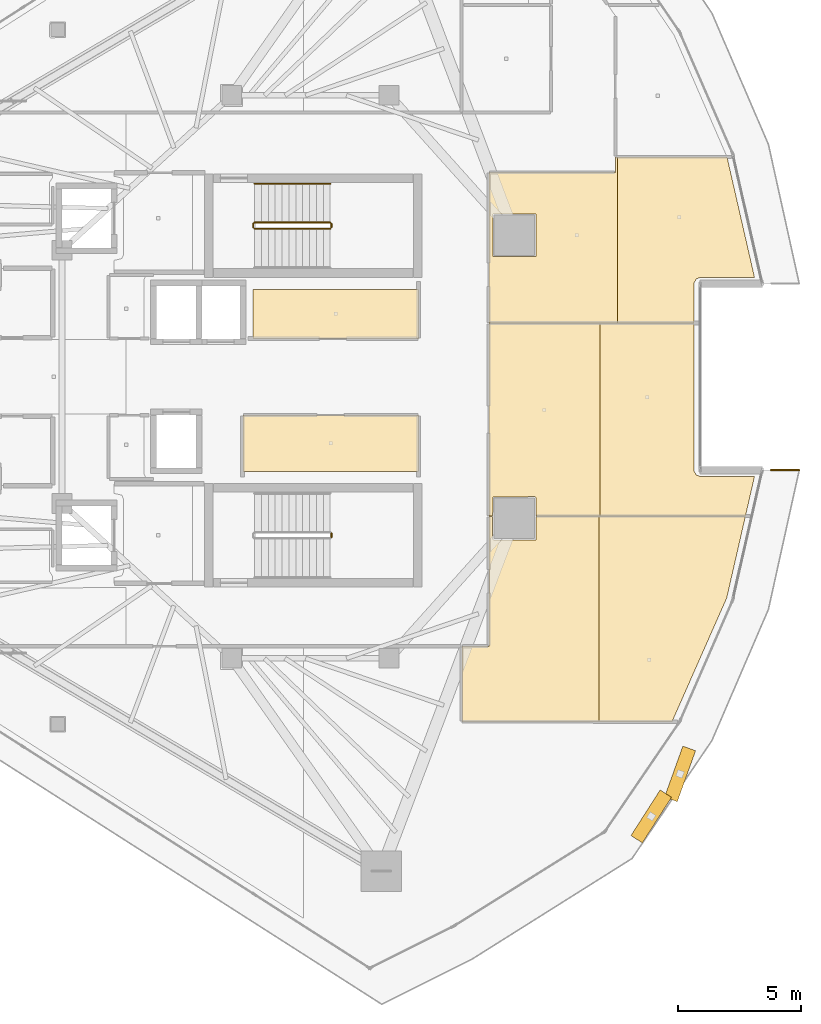
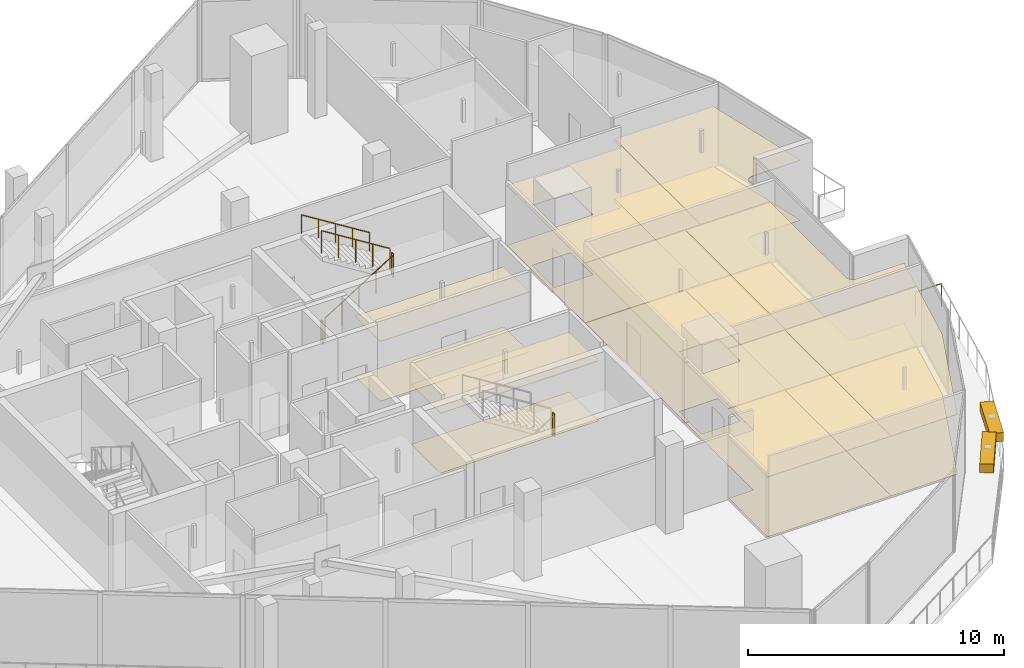
# One storey, part 33 of 34: 16 coverings, 7 railings, 2 shading devices.
"""IFC4 building model written with IfcOpenShell, lengths in metres."""

from ifc_helpers import new_model, si_unit, direction, frame, origin, origin_2d, place, context, subcontext, project, spatial, polyline, rectangle, circle, outline, extrude, material, layer, layer_set, type_object, element, save


model = new_model("IFC4")

# Units and contexts
model_context = context("Model", 3, precision=1e-05, world=origin(), true_north=direction((0.0, 1.0)))
body_context = subcontext(model_context, "Body", "Model", "MODEL_VIEW")
ifc_project = project(units=[si_unit("LENGTHUNIT", "METRE"), si_unit("AREAUNIT", "SQUARE_METRE"), si_unit("VOLUMEUNIT", "CUBIC_METRE"), si_unit("PLANEANGLEUNIT", "RADIAN"), si_unit("MASSUNIT", "GRAM", prefix="KILO")], contexts=[model_context])

# Site, building, storey
site_placement = place(None, origin())
site = spatial("IfcSite", under=ifc_project, at=site_placement, CompositionType="ELEMENT")
building_placement = place(site_placement, origin())
building = spatial("IfcBuilding", under=site, at=building_placement, Name="Qorvath Tower", CompositionType="ELEMENT")
storey_placement = place(building_placement, frame((0.0, 0.0, 276.60009765625)))
storey = spatial("IfcBuildingStorey", under=building, at=storey_placement, Name="L64", CompositionType="ELEMENT", Elevation=276.60009765625)

# Coverings
ifc_material_1 = material(Name="Acoustic mineral fibre ceiling tile", Category="gypsum")
ifc_layer_1 = layer(ifc_material_1, 0.030029296875)
ifc_layer_set_1 = layer_set([ifc_layer_1], Name="COV-CEIL")
covering_type_1 = type_object("IfcCoveringType", Name="COV-CEIL", PredefinedType="CEILING", material=ifc_layer_set_1)
covering_1_placement = place(storey_placement, frame((0.0, 0.0, 2.849853515625)))
element("IfcCovering", 1, at=covering_1_placement, inside=storey, type_object=covering_type_1, Name="L64 Suspended Acoustic Ceiling 003", PredefinedType="CEILING", context=body_context, shape_type="SweptSolid", body=[
    extrude(outline(polyline([(-16.0048828125, 3.56005859375), (-22.739990234375, 3.56005859375), (-22.739990234375, 1.56494140625), (-16.0048828125, 1.56494140625), (-16.0048828125, 3.56005859375)])), origin(), (0.0, 0.0, 1.0), 0.030029296875),
])
covering_2_placement = place(storey_placement, frame((0.0, 0.0, 2.849853515625)))
element("IfcCovering", 2, at=covering_2_placement, inside=storey, type_object=covering_type_1, Name="L64 Suspended Acoustic Ceiling 004", PredefinedType="CEILING", context=body_context, shape_type="SweptSolid", body=[
    extrude(outline(polyline([(-23.14501953125, -3.85009765625), (-16.0048828125, -3.85009765625), (-16.0048828125, -1.56494140625), (-23.14501953125, -1.56494140625), (-23.14501953125, -3.85009765625)])), origin(), (0.0, 0.0, 1.0), 0.030029296875),
])
covering_3_placement = place(storey_placement, frame((0.0, 0.0, 2.849853515625)))
element("IfcCovering", 3, at=covering_3_placement, inside=storey, type_object=covering_type_1, Name="L64 Suspended Acoustic Ceiling 017", PredefinedType="CEILING", context=body_context, shape_type="SweptSolid", body=[
    extrude(outline(polyline([(-14.237060546875, -14.008544921875), (-8.657958984375, -14.01318359375), (-8.657958984375, -5.671875), (-11.2119140625, -5.671875), (-11.2294921875, -6.625244140625), (-12.921875, -6.642822265625), (-12.981689453125, -6.5830078125), (-12.981689453125, -5.671875), (-13.136962890625, -5.671875), (-13.136962890625, -10.9580078125), (-14.237060546875, -10.962890625), (-14.237060546875, -14.008544921875)])), origin(), (0.0, 0.0, 1.0), 0.030029296875),
])
covering_4_placement = place(storey_placement, frame((0.0, 0.0, 2.849853515625)))
element("IfcCovering", 4, at=covering_4_placement, inside=storey, type_object=covering_type_1, Name="L64 Suspended Acoustic Ceiling 018", PredefinedType="CEILING", context=body_context, shape_type="SweptSolid", body=[
    extrude(outline(polyline([(-8.657958984375, -5.671875), (-8.657958984375, -14.01318359375), (-5.68115234375, -14.015869140625), (-3.459716796875, -8.987548828125), (-2.70263671875, -5.671875), (-8.657958984375, -5.671875)])), origin(), (0.0, 0.0, 1.0), 0.030029296875),
])
covering_5_placement = place(storey_placement, frame((0.0, 0.0, 2.849853515625)))
element("IfcCovering", 5, at=covering_5_placement, inside=storey, type_object=covering_type_1, Name="L64 Suspended Acoustic Ceiling 019", PredefinedType="CEILING", context=body_context, shape_type="SweptSolid", body=[
    extrude(outline(polyline([(-8.613037109375, -5.65380859375), (-8.613037109375, 2.17919921875), (-13.136962890625, 2.17919921875), (-13.136962890625, -5.65380859375), (-12.981689453125, -5.65380859375), (-12.964111328125, -4.890380859375), (-11.271728515625, -4.872802734375), (-11.2119140625, -4.932861328125), (-11.2119140625, -5.65380859375), (-8.613037109375, -5.65380859375)])), origin(), (0.0, 0.0, 1.0), 0.030029296875),
])
covering_6_placement = place(storey_placement, frame((0.0, 0.0, 2.849853515625)))
element("IfcCovering", 6, at=covering_6_placement, inside=storey, type_object=covering_type_1, Name="L64 Suspended Acoustic Ceiling 020", PredefinedType="CEILING", context=body_context, shape_type="SweptSolid", body=[
    extrude(outline(polyline([(-4.70166015625, -3.986572265625), (-4.788818359375, -3.839599609375), (-4.793701171875, 2.17919921875), (-8.613037109375, 2.17919921875), (-8.613037109375, -5.65380859375), (-2.698486328125, -5.65380859375), (-2.331298828125, -4.0458984375), (-4.563232421875, -4.044677734375), (-4.70166015625, -3.986572265625)])), origin(), (0.0, 0.0, 1.0), 0.030029296875),
])
covering_7_placement = place(storey_placement, frame((0.0, 0.0, 2.849853515625)))
element("IfcCovering", 7, at=covering_7_placement, inside=storey, type_object=covering_type_1, Name="L64 Suspended Acoustic Ceiling 021", PredefinedType="CEILING", context=body_context, shape_type="SweptSolid", body=[
    extrude(outline(polyline([(-7.90869140625, 2.197265625), (-7.90869140625, 8.93798828125), (-7.987060546875, 8.93798828125), (-7.991943359375, 8.306884765625), (-13.136962890625, 8.306884765625), (-13.136962890625, 2.197265625), (-7.90869140625, 2.197265625)]), holes=[polyline([(-12.964111328125, 4.890380859375), (-12.964111328125, 6.625244140625), (-11.2294921875, 6.625244140625), (-11.2294921875, 4.890380859375), (-12.964111328125, 4.890380859375)])]), origin(), (0.0, 0.0, 1.0), 0.030029296875),
])
covering_8_placement = place(storey_placement, frame((0.0, 0.0, 2.849853515625)))
element("IfcCovering", 8, at=covering_8_placement, inside=storey, type_object=covering_type_1, Name="L64 Suspended Acoustic Ceiling 022", PredefinedType="CEILING", context=body_context, shape_type="SweptSolid", body=[
    extrude(outline(polyline([(-4.698974609375, 3.98876953125), (-4.538818359375, 4.0458984375), (-2.331298828125, 4.0458984375), (-3.448486328125, 8.93798828125), (-7.90869140625, 8.93798828125), (-7.90869140625, 2.197265625), (-4.793701171875, 2.197265625), (-4.79248046875, 3.8154296875), (-4.698974609375, 3.98876953125)])), origin(), (0.0, 0.0, 1.0), 0.030029296875),
])
ifc_material_2 = material(Name="Low-VOC modular carpet tile", Category="textile")
ifc_layer_2 = layer(ifc_material_2, 0.014892578125)
ifc_layer_set_2 = layer_set([ifc_layer_2], Name="COV-FLOOR-CPT")
covering_type_2 = type_object("IfcCoveringType", Name="COV-FLOOR-CPT", PredefinedType="FLOORING", material=ifc_layer_set_2)
covering_9_placement = place(storey_placement, origin())
element("IfcCovering", 9, at=covering_9_placement, inside=storey, type_object=covering_type_2, Name="L64 Floor Finish 003", PredefinedType="FLOORING", context=body_context, shape_type="SweptSolid", body=[
    extrude(outline(polyline([(-16.0048828125, 3.56005859375), (-22.739990234375, 3.56005859375), (-22.739990234375, 1.56494140625), (-16.0048828125, 1.56494140625), (-16.0048828125, 3.56005859375)])), origin(), (0.0, 0.0, 1.0), 0.014892578125),
])
covering_10_placement = place(storey_placement, origin())
element("IfcCovering", 10, at=covering_10_placement, inside=storey, type_object=covering_type_2, Name="L64 Floor Finish 004", PredefinedType="FLOORING", context=body_context, shape_type="SweptSolid", body=[
    extrude(outline(polyline([(-23.14501953125, -3.85009765625), (-16.0048828125, -3.85009765625), (-16.0048828125, -1.56494140625), (-23.14501953125, -1.56494140625), (-23.14501953125, -3.85009765625)])), origin(), (0.0, 0.0, 1.0), 0.014892578125),
])
covering_11_placement = place(storey_placement, origin())
element("IfcCovering", 11, at=covering_11_placement, inside=storey, type_object=covering_type_2, Name="L64 Floor Finish 017", PredefinedType="FLOORING", context=body_context, shape_type="SweptSolid", body=[
    extrude(outline(polyline([(-14.237060546875, -14.008544921875), (-8.657958984375, -14.01318359375), (-8.657958984375, -5.671875), (-11.2119140625, -5.671875), (-11.2294921875, -6.625244140625), (-12.921875, -6.642822265625), (-12.981689453125, -6.5830078125), (-12.981689453125, -5.671875), (-13.136962890625, -5.671875), (-13.136962890625, -10.9580078125), (-14.237060546875, -10.962890625), (-14.237060546875, -14.008544921875)])), origin(), (0.0, 0.0, 1.0), 0.014892578125),
])
covering_12_placement = place(storey_placement, origin())
element("IfcCovering", 12, at=covering_12_placement, inside=storey, type_object=covering_type_2, Name="L64 Floor Finish 018", PredefinedType="FLOORING", context=body_context, shape_type="SweptSolid", body=[
    extrude(outline(polyline([(-8.657958984375, -5.671875), (-8.657958984375, -14.01318359375), (-5.68115234375, -14.015869140625), (-3.459716796875, -8.987548828125), (-2.70263671875, -5.671875), (-8.657958984375, -5.671875)])), origin(), (0.0, 0.0, 1.0), 0.014892578125),
])
covering_13_placement = place(storey_placement, origin())
element("IfcCovering", 13, at=covering_13_placement, inside=storey, type_object=covering_type_2, Name="L64 Floor Finish 019", PredefinedType="FLOORING", context=body_context, shape_type="SweptSolid", body=[
    extrude(outline(polyline([(-8.613037109375, -5.65380859375), (-8.613037109375, 2.17919921875), (-13.136962890625, 2.17919921875), (-13.136962890625, -5.65380859375), (-12.981689453125, -5.65380859375), (-12.964111328125, -4.890380859375), (-11.271728515625, -4.872802734375), (-11.2119140625, -4.932861328125), (-11.2119140625, -5.65380859375), (-8.613037109375, -5.65380859375)])), origin(), (0.0, 0.0, 1.0), 0.014892578125),
])
covering_14_placement = place(storey_placement, origin())
element("IfcCovering", 14, at=covering_14_placement, inside=storey, type_object=covering_type_2, Name="L64 Floor Finish 020", PredefinedType="FLOORING", context=body_context, shape_type="SweptSolid", body=[
    extrude(outline(polyline([(-4.70166015625, -3.986572265625), (-4.788818359375, -3.839599609375), (-4.793701171875, 2.17919921875), (-8.613037109375, 2.17919921875), (-8.613037109375, -5.65380859375), (-2.698486328125, -5.65380859375), (-2.331298828125, -4.0458984375), (-4.563232421875, -4.044677734375), (-4.70166015625, -3.986572265625)])), origin(), (0.0, 0.0, 1.0), 0.014892578125),
])
covering_15_placement = place(storey_placement, origin())
element("IfcCovering", 15, at=covering_15_placement, inside=storey, type_object=covering_type_2, Name="L64 Floor Finish 021", PredefinedType="FLOORING", context=body_context, shape_type="SweptSolid", body=[
    extrude(outline(polyline([(-7.90869140625, 2.197265625), (-7.90869140625, 8.93798828125), (-7.987060546875, 8.93798828125), (-7.991943359375, 8.306884765625), (-13.136962890625, 8.306884765625), (-13.136962890625, 2.197265625), (-7.90869140625, 2.197265625)]), holes=[polyline([(-12.964111328125, 4.890380859375), (-12.964111328125, 6.625244140625), (-11.2294921875, 6.625244140625), (-11.2294921875, 4.890380859375), (-12.964111328125, 4.890380859375)])]), origin(), (0.0, 0.0, 1.0), 0.014892578125),
])
covering_16_placement = place(storey_placement, origin())
element("IfcCovering", 16, at=covering_16_placement, inside=storey, type_object=covering_type_2, Name="L64 Floor Finish 022", PredefinedType="FLOORING", context=body_context, shape_type="SweptSolid", body=[
    extrude(outline(polyline([(-4.698974609375, 3.98876953125), (-4.538818359375, 4.0458984375), (-2.331298828125, 4.0458984375), (-3.448486328125, 8.93798828125), (-7.90869140625, 8.93798828125), (-7.90869140625, 2.197265625), (-4.793701171875, 2.197265625), (-4.79248046875, 3.8154296875), (-4.698974609375, 3.98876953125)])), origin(), (0.0, 0.0, 1.0), 0.014892578125),
])

# Railings
ifc_material_3 = material(Name="Laminated safety glass and stainless steel AISI 316", Category="steel")
railing_type_1 = type_object("IfcRailingType", Name="RL-EXT-GRD", PredefinedType="GUARDRAIL", material=ifc_material_3)
railing_1_placement = place(storey_placement, frame((-1.661865234375, -3.790771484375, 0.0)))
element("IfcRailing", 17, at=railing_1_placement, inside=storey, type_object=railing_type_1, Name="Loggia Perimeter Guardrail L64-1.2", PredefinedType="GUARDRAIL", context=body_context, shape_type="SweptSolid", body=[
    extrude(circle(Radius=0.02392578125, at=origin_2d()), frame((0.0, 0.0, 1.09619140625), z_axis=(1.0, 0.0, 0.0), x_axis=(0.0, 1.0, 0.0)), (0.0, 0.0, 1.0), 1.158935546875),
    extrude(circle(Radius=0.02099609375, at=origin_2d()), origin(), (0.0, 0.0, 1.0), 1.072021484375),
    extrude(circle(Radius=0.02099609375, at=origin_2d()), frame((1.158935546875, 0.0, 0.0)), (0.0, 0.0, 1.0), 1.072021484375),
])
ifc_material_4 = material(Name="Painted galvanised steel", Category="steel")
railing_type_2 = type_object("IfcRailingType", Name="RL-STR-GRD", PredefinedType="GUARDRAIL", material=ifc_material_4)
railing_2_placement = place(storey_placement, frame((-22.669921875, 6.030029296875, 0.1748046875)))
element("IfcRailing", 18, at=railing_2_placement, inside=storey, type_object=railing_type_2, Name="L64 TS1 stair guard 1", PredefinedType="GUARDRAIL", context=body_context, shape_type="SweptSolid", body=[
    extrude(circle(Radius=0.02392578125, at=origin_2d()), frame((0.0, 0.0, 1.076171875), z_axis=(0.847979421464, 0.0, 0.530029150871), x_axis=(0.0, 1.0, 0.0)), (0.0, 0.0, 1.0), 3.632080078125),
    extrude(circle(Radius=0.02099609375, at=origin_2d()), origin(), (0.0, 0.0, 1.0), 1.052001953125),
    extrude(circle(Radius=0.02099609375, at=origin_2d()), frame((0.77001953125, 0.0, 0.481201171875)), (0.0, 0.0, 1.0), 1.052001953125),
    extrude(circle(Radius=0.02099609375, at=origin_2d()), frame((1.5400390625, 0.0, 0.96240234375)), (0.0, 0.0, 1.0), 1.052001953125),
    extrude(circle(Radius=0.02099609375, at=origin_2d()), frame((2.309814453125, 0.0, 1.44384765625)), (0.0, 0.0, 1.0), 1.052001953125),
    extrude(circle(Radius=0.02099609375, at=origin_2d()), frame((3.079833984375, 0.0, 1.925048828125)), (0.0, 0.0, 1.0), 1.052001953125),
])
railing_3_placement = place(storey_placement, frame((-19.5400390625, 6.080078125, 2.099853515625)))
element("IfcRailing", 19, at=railing_3_placement, inside=storey, type_object=railing_type_2, Name="L64 TS1 stair guard 2", PredefinedType="GUARDRAIL", context=body_context, shape_type="SweptSolid", body=[
    extrude(circle(Radius=0.02392578125, at=origin_2d()), frame((0.0, 0.0, 1.076171875), z_axis=(0.0, 1.0, 0.0), x_axis=(-1.0, 0.0, 0.0)), (0.0, 0.0, 1.0), 0.14990234375),
    extrude(circle(Radius=0.02099609375, at=origin_2d()), origin(), (0.0, 0.0, 1.0), 1.052001953125),
    extrude(circle(Radius=0.02099609375, at=origin_2d()), frame((0.0, 0.14990234375, 0.0)), (0.0, 0.0, 1.0), 1.052001953125),
])
railing_4_placement = place(storey_placement, frame((-19.590087890625, 6.280029296875, 2.27490234375)))
element("IfcRailing", 20, at=railing_4_placement, inside=storey, type_object=railing_type_2, Name="L64 TS1 stair guard 3", PredefinedType="GUARDRAIL", context=body_context, shape_type="SweptSolid", body=[
    extrude(circle(Radius=0.02392578125, at=origin_2d()), frame((0.0, 0.0, 1.076171875), z_axis=(-0.847979421464, 0.0, 0.530029150871), x_axis=(0.0, -1.0, 0.0)), (0.0, 0.0, 1.0), 3.632080078125),
    extrude(circle(Radius=0.02099609375, at=origin_2d()), origin(), (0.0, 0.0, 1.0), 1.052001953125),
    extrude(circle(Radius=0.02099609375, at=origin_2d()), frame((-0.77001953125, 0.0, 0.481201171875)), (0.0, 0.0, 1.0), 1.052001953125),
    extrude(circle(Radius=0.02099609375, at=origin_2d()), frame((-1.5400390625, 0.0, 0.96240234375)), (0.0, 0.0, 1.0), 1.052001953125),
    extrude(circle(Radius=0.02099609375, at=origin_2d()), frame((-2.309814453125, 0.0, 1.44384765625)), (0.0, 0.0, 1.0), 1.052001953125),
    extrude(circle(Radius=0.02099609375, at=origin_2d()), frame((-3.079833984375, 0.0, 1.925048828125)), (0.0, 0.0, 1.0), 1.052001953125),
])
for number, where, name in (
    (21, (-22.719970703125, 6.080078125, 0.0), "L64 TS1 stair guard 4"),
    (22, (-19.5400390625, -6.52001953125, 2.099853515625), "L64 TS2 stair guard 2"),
):
    element("IfcRailing", number, at=place(storey_placement, frame(where)), inside=storey, type_object=railing_type_2, Name=name, PredefinedType="GUARDRAIL", context=body_context, shape_type="SweptSolid", body=[
        extrude(circle(Radius=0.02392578125, at=origin_2d()), frame((0.0, 0.0, 1.076171875), z_axis=(0.0, 1.0, 0.0), x_axis=(-1.0, 0.0, 0.0)), (0.0, 0.0, 1.0), 0.14990234375),
        extrude(circle(Radius=0.02099609375, at=origin_2d()), origin(), (0.0, 0.0, 1.0), 1.052001953125),
        extrude(circle(Radius=0.02099609375, at=origin_2d()), frame((0.0, 0.14990234375, 0.0)), (0.0, 0.0, 1.0), 1.052001953125),
    ])
ifc_material_5 = material(Name="Brushed stainless steel AISI 304", Category="steel")
railing_type_3 = type_object("IfcRailingType", Name="RL-STR-HND", PredefinedType="HANDRAIL", material=ifc_material_5)
railing_5_placement = place(storey_placement, frame((-19.590087890625, 7.860107421875, 2.27490234375)))
element("IfcRailing", 23, at=railing_5_placement, inside=storey, type_object=railing_type_3, Name="L64 TS1 stair handrail 2", PredefinedType="HANDRAIL", context=body_context, shape_type="SweptSolid", body=[
    extrude(circle(Radius=0.02392578125, at=origin_2d()), frame((0.0, 0.0, 0.8759765625), z_axis=(-0.847979421464, 0.0, 0.530029150871), x_axis=(0.0, -1.0, 0.0)), (0.0, 0.0, 1.0), 3.632080078125),
    extrude(circle(Radius=0.02099609375, at=origin_2d()), origin(), (0.0, 0.0, 1.0), 0.851806640625),
    extrude(circle(Radius=0.02099609375, at=origin_2d()), frame((-0.77001953125, 0.0, 0.481201171875)), (0.0, 0.0, 1.0), 0.851806640625),
    extrude(circle(Radius=0.02099609375, at=origin_2d()), frame((-1.5400390625, 0.0, 0.96240234375)), (0.0, 0.0, 1.0), 0.851806640625),
    extrude(circle(Radius=0.02099609375, at=origin_2d()), frame((-2.309814453125, 0.0, 1.44384765625)), (0.0, 0.0, 1.0), 0.851806640625),
    extrude(circle(Radius=0.02099609375, at=origin_2d()), frame((-3.079833984375, 0.0, 1.925048828125)), (0.0, 0.0, 1.0), 0.851806640625),
])

# Shading devices
ifc_material_6 = material(Name="Anodised bronze-champagne aluminium", Category="aluminium")
shading_device_type = type_object("IfcShadingDeviceType", Name="SD-LOUVRE", PredefinedType="JALOUSIE", material=ifc_material_6)
for number, where, z_axis, x_axis, name in (
    (24, (-6.53173828125, -17.87890625, 3.489990234375), (0.0, 0.0, 1.0), (0.539073643681, 0.842258634084, 0.0), "Sinusoidal Wave Louvre Blade L64-03"),
    (25, (-5.359619140625, -16.148681640625, 3.489990234375), (0.0, 0.0, 1.0), (0.338365126362, 0.941014899596, 0.0), "Sinusoidal Wave Louvre Blade L64-04"),
):
    element("IfcShadingDevice", number, at=place(storey_placement, frame(where, z_axis=z_axis, x_axis=x_axis)), inside=storey, type_object=shading_device_type, Name=name, PredefinedType="NOTDEFINED", context=body_context, shape_type="SweptSolid", body=[
        extrude(rectangle(XDim=2.199951171875, YDim=0.550048828125, at=origin_2d()), origin(), (0.0, 0.0, 1.0), 0.419921875),
    ])

save(model, "model.ifc")
